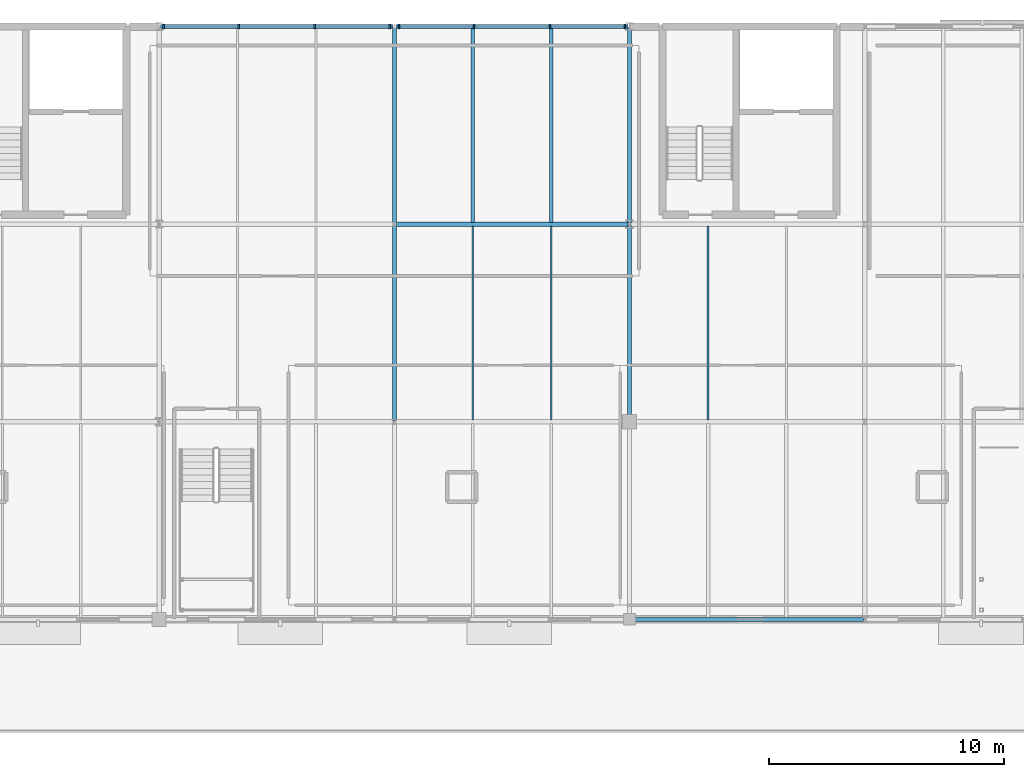
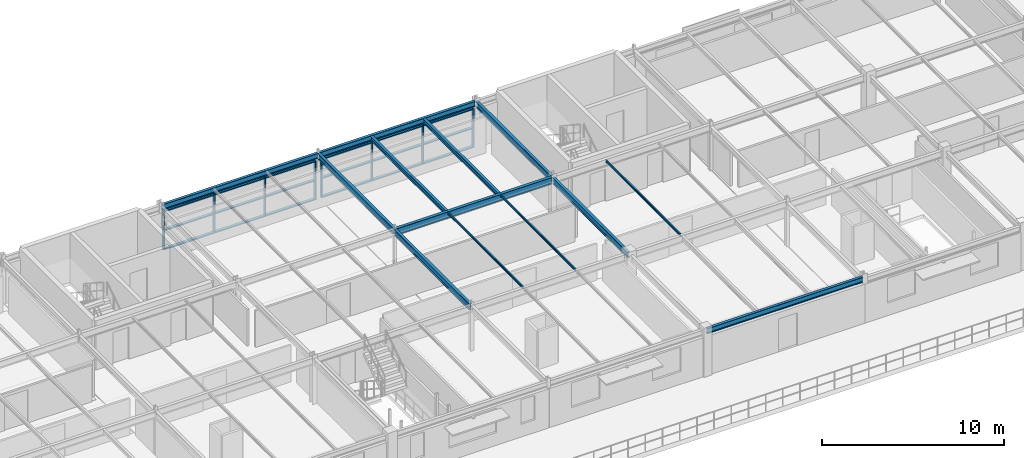
# One storey, part 12 of 23: 26 members, 13 beams, 2 elements without a shape of their own.
"""IFC4 building model written with IfcOpenShell, lengths in metres."""

from ifc_helpers import new_model, si_unit, derived_unit, direction, frame, origin, origin_2d_with_axis, place, context, subcontext, project, spatial, rectangle, i_section, extrude, material, material_profile, profile_set, type_object, element, aggregate, save


model = new_model("IFC4")

# Units and contexts
model_context = context("Model", 3, precision=1e-05, world=origin(), true_north=direction((0.0, 1.0)))
body_context = subcontext(model_context, "Body", "Model", "MODEL_VIEW")
ifc_project = project(units=[si_unit("LENGTHUNIT", "METRE"), si_unit("AREAUNIT", "SQUARE_METRE"), si_unit("VOLUMEUNIT", "CUBIC_METRE"), si_unit("PLANEANGLEUNIT", "RADIAN"), si_unit("MASSUNIT", "GRAM", prefix="KILO"), derived_unit("THERMALTRANSMITTANCEUNIT", [(si_unit("POWERUNIT", "WATT"), 1), (si_unit("LENGTHUNIT", "METRE"), -2), (si_unit("THERMODYNAMICTEMPERATUREUNIT", "KELVIN"), -1)])], contexts=[model_context])

# Site, building, storey
site_placement = place(None, origin())
site = spatial("IfcSite", under=ifc_project, at=site_placement, CompositionType="ELEMENT")
building_placement = place(site_placement, origin())
building = spatial("IfcBuilding", under=site, at=building_placement, Name="Cinnabar Yard Market Hall", CompositionType="ELEMENT")
storey_placement = place(building_placement, frame((0.0, 0.0, 12.0)))
storey = spatial("IfcBuildingStorey", under=building, at=storey_placement, Name="L03", CompositionType="ELEMENT", Elevation=12.0)

# Beams
ifc_material_1 = material(Name="Steel Grade 300 (300 MPa)", Category="steel")
ifc_material_profile_1 = material_profile(ifc_material_1, i_section(OverallWidth=0.18994140625, OverallDepth=0.453857421875, WebThickness=0.008544921875, FlangeThickness=0.0126953125, FilletRadius=0.011474609375, at=origin_2d_with_axis()), Name="460UB67.1")
ifc_profile_set_1 = profile_set([ifc_material_profile_1], Name="Steel Grade 300 (300 MPa)")
beam_type_1 = type_object("IfcBeamType", Name="BM-B05", PredefinedType="BEAM", material=ifc_profile_set_1)
beam_1_placement = place(storey_placement, frame((116.06005859375, 129.60009765625, 2.843017578125), z_axis=(1.0, 0.0, 0.0), x_axis=(0.0, 1.0, 0.0)))
element("IfcBeam", 1, at=beam_1_placement, inside=storey, type_object=beam_type_1, Name="V3 L03 Girder X 01369", PredefinedType="BEAM", context=body_context, shape_type="SweptSolid", body=[
    extrude(i_section(OverallWidth=0.18994140625, OverallDepth=0.453857421875, WebThickness=0.008544921875, FlangeThickness=0.0126953125, FilletRadius=0.011474609375, at=origin_2d_with_axis()), origin(), (0.0, 0.0, 1.0), 9.8798828125),
])
ifc_material_profile_2 = material_profile(ifc_material_1, i_section(OverallWidth=0.177978515625, OverallDepth=0.406494140625, WebThickness=0.0078125, FlangeThickness=0.0126953125, FilletRadius=0.011474609375, at=origin_2d_with_axis()), Name="410UB59.7")
ifc_profile_set_2 = profile_set([ifc_material_profile_2], Name="Steel Grade 300 (300 MPa)")
beam_type_2 = type_object("IfcBeamType", Name="BM-B06", PredefinedType="BEAM", material=ifc_profile_set_2)
for number, where, z_axis, x_axis, name in (
    (2, (116.0, 121.260009765625, 2.86669921875), (0.0, 1.0, 0.0), (-1.0, 0.0, 0.0), "V3 L03 Girder Y 01396"),
    (3, (116.0, 129.659912109375, 2.86669921875), (0.0, 1.0, 0.0), (-1.0, 0.0, 0.0), "V3 L03 Girder Y 01397"),
    (4, (126.0, 121.260009765625, 2.86669921875), (0.0, 1.0, 0.0), (-1.0, 0.0, 0.0), "V3 L03 Girder Y 01399"),
    (5, (126.0, 129.659912109375, 2.86669921875), (0.0, 1.0, 0.0), (-1.0, 0.0, 0.0), "V3 L03 Girder Y 01400"),
):
    element("IfcBeam", number, at=place(storey_placement, frame(where, z_axis=z_axis, x_axis=x_axis)), inside=storey, type_object=beam_type_2, Name=name, PredefinedType="BEAM", context=body_context, shape_type="SweptSolid", body=[
        extrude(i_section(OverallWidth=0.177978515625, OverallDepth=0.406494140625, WebThickness=0.0078125, FlangeThickness=0.0126953125, FilletRadius=0.011474609375, at=origin_2d_with_axis()), origin(), (0.0, 0.0, 1.0), 8.280029296875),
    ])
ifc_material_profile_3 = material_profile(ifc_material_1, i_section(OverallWidth=0.074951171875, OverallDepth=0.14990234375, WebThickness=0.0048828125, FlangeThickness=0.007080078125, FilletRadius=0.008056640625, at=origin_2d_with_axis()), Name="150UB14.0")
ifc_profile_set_3 = profile_set([ifc_material_profile_3], Name="Steel Grade 300 (300 MPa)")
beam_type_3 = type_object("IfcBeamType", Name="BM-J15", PredefinedType="JOIST", material=ifc_profile_set_3)
for number, where, z_axis, x_axis, name in (
    (6, (119.333251953125, 121.27490234375, 2.9951171875), (0.0, 1.0, 0.0), (-1.0, 0.0, 0.0), "V3 L03 Joist 01432"),
    (7, (122.666748046875, 121.27490234375, 2.9951171875), (0.0, 1.0, 0.0), (-1.0, 0.0, 0.0), "V3 L03 Joist 01435"),
):
    element("IfcBeam", number, at=place(storey_placement, frame(where, z_axis=z_axis, x_axis=x_axis)), inside=storey, type_object=beam_type_3, Name=name, PredefinedType="JOIST", context=body_context, shape_type="SweptSolid", body=[
        extrude(i_section(OverallWidth=0.074951171875, OverallDepth=0.14990234375, WebThickness=0.0048828125, FlangeThickness=0.007080078125, FilletRadius=0.008056640625, at=origin_2d_with_axis()), origin(), (0.0, 0.0, 1.0), 8.25),
    ])
ifc_material_profile_4 = material_profile(ifc_material_1, i_section(OverallWidth=0.1650390625, OverallDepth=0.303955078125, WebThickness=0.006103515625, FlangeThickness=0.01025390625, FilletRadius=0.011474609375, at=origin_2d_with_axis()), Name="310UB40.4")
ifc_profile_set_4 = profile_set([ifc_material_profile_4], Name="Steel Grade 300 (300 MPa)")
beam_type_4 = type_object("IfcBeamType", Name="BM-J16", PredefinedType="JOIST", material=ifc_profile_set_4)
for number, where, z_axis, x_axis, name in (
    (8, (119.333251953125, 129.675048828125, 2.91796875), (0.0, 1.0, 0.0), (-1.0, 0.0, 0.0), "V3 L03 Joist 01433"),
    (9, (122.666748046875, 129.675048828125, 2.91796875), (0.0, 1.0, 0.0), (-1.0, 0.0, 0.0), "V3 L03 Joist 01436"),
):
    element("IfcBeam", number, at=place(storey_placement, frame(where, z_axis=z_axis, x_axis=x_axis)), inside=storey, type_object=beam_type_4, Name=name, PredefinedType="JOIST", context=body_context, shape_type="SweptSolid", body=[
        extrude(i_section(OverallWidth=0.1650390625, OverallDepth=0.303955078125, WebThickness=0.006103515625, FlangeThickness=0.01025390625, FilletRadius=0.011474609375, at=origin_2d_with_axis()), origin(), (0.0, 0.0, 1.0), 8.25),
    ])
ifc_material_profile_5 = material_profile(ifc_material_1, i_section(OverallWidth=0.074951171875, OverallDepth=0.155029296875, WebThickness=0.006103515625, FlangeThickness=0.009521484375, FilletRadius=0.008056640625, at=origin_2d_with_axis()), Name="150UB18.0")
ifc_profile_set_5 = profile_set([ifc_material_profile_5], Name="Steel Grade 300 (300 MPa)")
beam_type_5 = type_object("IfcBeamType", Name="BM-J18", PredefinedType="JOIST", material=ifc_profile_set_5)
beam_2_placement = place(storey_placement, frame((129.333251953125, 121.27490234375, 2.992431640625), z_axis=(0.0, 1.0, 0.0), x_axis=(-1.0, 0.0, 0.0)))
element("IfcBeam", 10, at=beam_2_placement, inside=storey, type_object=beam_type_5, Name="V3 L03 Joist 01438", PredefinedType="JOIST", context=body_context, shape_type="SweptSolid", body=[
    extrude(i_section(OverallWidth=0.074951171875, OverallDepth=0.155029296875, WebThickness=0.006103515625, FlangeThickness=0.009521484375, FilletRadius=0.008056640625, at=origin_2d_with_axis()), origin(), (0.0, 0.0, 1.0), 8.25),
])
ifc_material_profile_6 = material_profile(ifc_material_1, i_section(OverallWidth=0.172119140625, OverallDepth=0.358642578125, WebThickness=0.008056640625, FlangeThickness=0.012939453125, FilletRadius=0.011474609375, at=origin_2d_with_axis()), Name="360UB56.7")
ifc_profile_set_6 = profile_set([ifc_material_profile_6], Name="Steel Grade 300 (300 MPa)")
beam_type_6 = type_object("IfcBeamType", Name="BM-SP02E", PredefinedType="SPANDREL", material=ifc_profile_set_6)
for number, where, z_axis, x_axis, name in (
    (11, (106.06005859375, 138.0, 2.890625), (1.0, 0.0, 0.0), (0.0, 1.0, 0.0), "V3 L03 Girder X 01366"),
    (12, (116.06005859375, 138.0, 2.890625), (1.0, 0.0, 0.0), (0.0, 1.0, 0.0), "V3 L03 Girder X 01370"),
    (13, (126.06005859375, 112.800048828125, 2.890625), (1.0, 0.0, 0.0), (0.0, 1.0, 0.0), "V3 L03 Girder X 01371"),
):
    element("IfcBeam", number, at=place(storey_placement, frame(where, z_axis=z_axis, x_axis=x_axis)), inside=storey, type_object=beam_type_6, Name=name, PredefinedType="SPANDREL", context=body_context, shape_type="SweptSolid", body=[
        extrude(i_section(OverallWidth=0.172119140625, OverallDepth=0.358642578125, WebThickness=0.008056640625, FlangeThickness=0.012939453125, FilletRadius=0.011474609375, at=origin_2d_with_axis()), origin(), (0.0, 0.0, 1.0), 9.8798828125),
    ])

# Curtain wall, members
ifc_material_2 = material(Name="Anodised bronze aluminium courtyard facade", Category="aluminium")
curtain_wall_type = type_object("IfcCurtainWallType", Name="CW-CWF097x26", PredefinedType="NOTDEFINED", material=ifc_material_2)
curtain_wall_1_placement = place(storey_placement, origin())
curtain_wall_1 = element("IfcCurtainWall", 14, at=curtain_wall_1_placement, inside=storey, type_object=curtain_wall_type, Name="Wing North Pishtaq Glazing L03 Bay 4", PredefinedType="NOTDEFINED")
ifc_material_3 = material(Name="Anodised bronze aluminium", Category="aluminium")
ifc_material_profile_7 = material_profile(ifc_material_3, rectangle(XDim=0.179931640625, YDim=0.074951171875, at=origin_2d_with_axis()), Name="MUL-CWF")
ifc_profile_set_7 = profile_set([ifc_material_profile_7], Name="Anodised bronze aluminium")
member_type_1 = type_object("IfcMemberType", Name="CWM-CWF", PredefinedType="MULLION", material=ifc_profile_set_7)
member_1_placement = place(storey_placement, frame((115.802490234375, 138.0, 0.0), z_axis=(0.0, 0.0, 1.0), x_axis=(0.0, -1.0, 0.0)))
member_1 = element("IfcMember", 15, at=member_1_placement, type_object=member_type_1, Name="CWF097x26 mullion 1", PredefinedType="MULLION", context=body_context, shape_type="SweptSolid", body=[
    extrude(rectangle(XDim=0.179931640625, YDim=0.074951171875, at=origin_2d_with_axis()), origin(), (0.0, 0.0, 1.0), 2.6201171875),
])
member_2_placement = place(storey_placement, frame((112.61328125, 138.0, 0.0), z_axis=(0.0, 0.0, 1.0), x_axis=(0.0, -1.0, 0.0)))
member_2 = element("IfcMember", 16, at=member_2_placement, type_object=member_type_1, Name="CWF097x26 mullion 2", PredefinedType="MULLION", context=body_context, shape_type="SweptSolid", body=[
    extrude(rectangle(XDim=0.179931640625, YDim=0.074951171875, at=origin_2d_with_axis()), origin(), (0.0, 0.0, 1.0), 2.6201171875),
])
member_3_placement = place(storey_placement, frame((109.38671875, 138.0, 0.0), z_axis=(0.0, 0.0, 1.0), x_axis=(0.0, -1.0, 0.0)))
member_3 = element("IfcMember", 17, at=member_3_placement, type_object=member_type_1, Name="CWF097x26 mullion 3", PredefinedType="MULLION", context=body_context, shape_type="SweptSolid", body=[
    extrude(rectangle(XDim=0.179931640625, YDim=0.074951171875, at=origin_2d_with_axis()), origin(), (0.0, 0.0, 1.0), 2.6201171875),
])
member_4_placement = place(storey_placement, frame((106.197509765625, 138.0, 0.0), z_axis=(0.0, 0.0, 1.0), x_axis=(0.0, -1.0, 0.0)))
member_4 = element("IfcMember", 18, at=member_4_placement, type_object=member_type_1, Name="CWF097x26 mullion 4", PredefinedType="MULLION", context=body_context, shape_type="SweptSolid", body=[
    extrude(rectangle(XDim=0.179931640625, YDim=0.074951171875, at=origin_2d_with_axis()), origin(), (0.0, 0.0, 1.0), 2.6201171875),
])

curtain_wall_2_placement = place(storey_placement, origin())
curtain_wall_2 = element("IfcCurtainWall", 19, at=curtain_wall_2_placement, inside=storey, type_object=curtain_wall_type, Name="Wing North Pishtaq Glazing L03 Bay 5", PredefinedType="NOTDEFINED")
member_5_placement = place(storey_placement, frame((125.802490234375, 138.0, 0.0), z_axis=(0.0, 0.0, 1.0), x_axis=(0.0, -1.0, 0.0)))
member_5 = element("IfcMember", 20, at=member_5_placement, type_object=member_type_1, Name="CWF097x26 mullion 1", PredefinedType="MULLION", context=body_context, shape_type="SweptSolid", body=[
    extrude(rectangle(XDim=0.179931640625, YDim=0.074951171875, at=origin_2d_with_axis()), origin(), (0.0, 0.0, 1.0), 2.6201171875),
])
member_6_placement = place(storey_placement, frame((122.61328125, 138.0, 0.0), z_axis=(0.0, 0.0, 1.0), x_axis=(0.0, -1.0, 0.0)))
member_6 = element("IfcMember", 21, at=member_6_placement, type_object=member_type_1, Name="CWF097x26 mullion 2", PredefinedType="MULLION", context=body_context, shape_type="SweptSolid", body=[
    extrude(rectangle(XDim=0.179931640625, YDim=0.074951171875, at=origin_2d_with_axis()), origin(), (0.0, 0.0, 1.0), 2.6201171875),
])
member_7_placement = place(storey_placement, frame((119.38671875, 138.0, 0.0), z_axis=(0.0, 0.0, 1.0), x_axis=(0.0, -1.0, 0.0)))
member_7 = element("IfcMember", 22, at=member_7_placement, type_object=member_type_1, Name="CWF097x26 mullion 3", PredefinedType="MULLION", context=body_context, shape_type="SweptSolid", body=[
    extrude(rectangle(XDim=0.179931640625, YDim=0.074951171875, at=origin_2d_with_axis()), origin(), (0.0, 0.0, 1.0), 2.6201171875),
])
member_8_placement = place(storey_placement, frame((116.197509765625, 138.0, 0.0), z_axis=(0.0, 0.0, 1.0), x_axis=(0.0, -1.0, 0.0)))
member_8 = element("IfcMember", 23, at=member_8_placement, type_object=member_type_1, Name="CWF097x26 mullion 4", PredefinedType="MULLION", context=body_context, shape_type="SweptSolid", body=[
    extrude(rectangle(XDim=0.179931640625, YDim=0.074951171875, at=origin_2d_with_axis()), origin(), (0.0, 0.0, 1.0), 2.6201171875),
])

# Member
ifc_material_profile_8 = material_profile(ifc_material_3, rectangle(XDim=0.179931640625, YDim=0.074951171875, at=origin_2d_with_axis()), Name="TRN-CWF")
ifc_profile_set_8 = profile_set([ifc_material_profile_8], Name="Anodised bronze aluminium")
member_type_2 = type_object("IfcMemberType", Name="CWT-CWF", PredefinedType="USERDEFINED", material=ifc_profile_set_8)
member_9_placement = place(storey_placement, frame((115.764892578125, 138.0, 0.03759765625), z_axis=(-1.0, 0.0, 0.0), x_axis=(0.0, -1.0, 0.0)))
member_9 = element("IfcMember", 24, at=member_9_placement, type_object=member_type_2, Name="CWF097x26 transom 1.1", ObjectType="TRANSOM", PredefinedType="USERDEFINED", context=body_context, shape_type="SweptSolid", body=[
    extrude(rectangle(XDim=0.179931640625, YDim=0.074951171875, at=origin_2d_with_axis()), origin(), (0.0, 0.0, 1.0), 3.114013671875),
])

member_10_placement = place(storey_placement, frame((115.764892578125, 138.0, 1.31005859375), z_axis=(-1.0, 0.0, 0.0), x_axis=(0.0, -1.0, 0.0)))
member_10 = element("IfcMember", 25, at=member_10_placement, type_object=member_type_2, Name="CWF097x26 transom 1.2", ObjectType="TRANSOM", PredefinedType="USERDEFINED", context=body_context, shape_type="SweptSolid", body=[
    extrude(rectangle(XDim=0.179931640625, YDim=0.074951171875, at=origin_2d_with_axis()), origin(), (0.0, 0.0, 1.0), 3.114013671875),
])

member_11_placement = place(storey_placement, frame((115.764892578125, 138.0, 2.58251953125), z_axis=(-1.0, 0.0, 0.0), x_axis=(0.0, -1.0, 0.0)))
member_11 = element("IfcMember", 26, at=member_11_placement, type_object=member_type_2, Name="CWF097x26 transom 1.3", ObjectType="TRANSOM", PredefinedType="USERDEFINED", context=body_context, shape_type="SweptSolid", body=[
    extrude(rectangle(XDim=0.179931640625, YDim=0.074951171875, at=origin_2d_with_axis()), origin(), (0.0, 0.0, 1.0), 3.114013671875),
])

member_12_placement = place(storey_placement, frame((112.575927734375, 138.0, 0.03759765625), z_axis=(-1.0, 0.0, 0.0), x_axis=(0.0, -1.0, 0.0)))
member_12 = element("IfcMember", 27, at=member_12_placement, type_object=member_type_2, Name="CWF097x26 transom 2.1", ObjectType="TRANSOM", PredefinedType="USERDEFINED", context=body_context, shape_type="SweptSolid", body=[
    extrude(rectangle(XDim=0.179931640625, YDim=0.074951171875, at=origin_2d_with_axis()), origin(), (0.0, 0.0, 1.0), 3.15185546875),
])

member_13_placement = place(storey_placement, frame((112.575927734375, 138.0, 1.31005859375), z_axis=(-1.0, 0.0, 0.0), x_axis=(0.0, -1.0, 0.0)))
member_13 = element("IfcMember", 28, at=member_13_placement, type_object=member_type_2, Name="CWF097x26 transom 2.2", ObjectType="TRANSOM", PredefinedType="USERDEFINED", context=body_context, shape_type="SweptSolid", body=[
    extrude(rectangle(XDim=0.179931640625, YDim=0.074951171875, at=origin_2d_with_axis()), origin(), (0.0, 0.0, 1.0), 3.15185546875),
])

member_14_placement = place(storey_placement, frame((112.575927734375, 138.0, 2.58251953125), z_axis=(-1.0, 0.0, 0.0), x_axis=(0.0, -1.0, 0.0)))
member_14 = element("IfcMember", 29, at=member_14_placement, type_object=member_type_2, Name="CWF097x26 transom 2.3", ObjectType="TRANSOM", PredefinedType="USERDEFINED", context=body_context, shape_type="SweptSolid", body=[
    extrude(rectangle(XDim=0.179931640625, YDim=0.074951171875, at=origin_2d_with_axis()), origin(), (0.0, 0.0, 1.0), 3.15185546875),
])

member_15_placement = place(storey_placement, frame((109.34912109375, 138.0, 0.03759765625), z_axis=(-1.0, 0.0, 0.0), x_axis=(0.0, -1.0, 0.0)))
member_15 = element("IfcMember", 30, at=member_15_placement, type_object=member_type_2, Name="CWF097x26 transom 3.1", ObjectType="TRANSOM", PredefinedType="USERDEFINED", context=body_context, shape_type="SweptSolid", body=[
    extrude(rectangle(XDim=0.179931640625, YDim=0.074951171875, at=origin_2d_with_axis()), origin(), (0.0, 0.0, 1.0), 3.114013671875),
])

member_16_placement = place(storey_placement, frame((109.34912109375, 138.0, 1.31005859375), z_axis=(-1.0, 0.0, 0.0), x_axis=(0.0, -1.0, 0.0)))
member_16 = element("IfcMember", 31, at=member_16_placement, type_object=member_type_2, Name="CWF097x26 transom 3.2", ObjectType="TRANSOM", PredefinedType="USERDEFINED", context=body_context, shape_type="SweptSolid", body=[
    extrude(rectangle(XDim=0.179931640625, YDim=0.074951171875, at=origin_2d_with_axis()), origin(), (0.0, 0.0, 1.0), 3.114013671875),
])

member_17_placement = place(storey_placement, frame((109.34912109375, 138.0, 2.58251953125), z_axis=(-1.0, 0.0, 0.0), x_axis=(0.0, -1.0, 0.0)))
member_17 = element("IfcMember", 32, at=member_17_placement, type_object=member_type_2, Name="CWF097x26 transom 3.3", ObjectType="TRANSOM", PredefinedType="USERDEFINED", context=body_context, shape_type="SweptSolid", body=[
    extrude(rectangle(XDim=0.179931640625, YDim=0.074951171875, at=origin_2d_with_axis()), origin(), (0.0, 0.0, 1.0), 3.114013671875),
])

aggregate(curtain_wall_1, [member_1, member_2, member_3, member_4, member_9, member_10, member_11, member_12, member_13, member_14, member_15, member_16, member_17])

member_18_placement = place(storey_placement, frame((125.764892578125, 138.0, 0.03759765625), z_axis=(-1.0, 0.0, 0.0), x_axis=(0.0, -1.0, 0.0)))
member_18 = element("IfcMember", 33, at=member_18_placement, type_object=member_type_2, Name="CWF097x26 transom 1.1", ObjectType="TRANSOM", PredefinedType="USERDEFINED", context=body_context, shape_type="SweptSolid", body=[
    extrude(rectangle(XDim=0.179931640625, YDim=0.074951171875, at=origin_2d_with_axis()), origin(), (0.0, 0.0, 1.0), 3.114013671875),
])

member_19_placement = place(storey_placement, frame((125.764892578125, 138.0, 1.31005859375), z_axis=(-1.0, 0.0, 0.0), x_axis=(0.0, -1.0, 0.0)))
member_19 = element("IfcMember", 34, at=member_19_placement, type_object=member_type_2, Name="CWF097x26 transom 1.2", ObjectType="TRANSOM", PredefinedType="USERDEFINED", context=body_context, shape_type="SweptSolid", body=[
    extrude(rectangle(XDim=0.179931640625, YDim=0.074951171875, at=origin_2d_with_axis()), origin(), (0.0, 0.0, 1.0), 3.114013671875),
])

member_20_placement = place(storey_placement, frame((125.764892578125, 138.0, 2.58251953125), z_axis=(-1.0, 0.0, 0.0), x_axis=(0.0, -1.0, 0.0)))
member_20 = element("IfcMember", 35, at=member_20_placement, type_object=member_type_2, Name="CWF097x26 transom 1.3", ObjectType="TRANSOM", PredefinedType="USERDEFINED", context=body_context, shape_type="SweptSolid", body=[
    extrude(rectangle(XDim=0.179931640625, YDim=0.074951171875, at=origin_2d_with_axis()), origin(), (0.0, 0.0, 1.0), 3.114013671875),
])

member_21_placement = place(storey_placement, frame((122.575927734375, 138.0, 0.03759765625), z_axis=(-1.0, 0.0, 0.0), x_axis=(0.0, -1.0, 0.0)))
member_21 = element("IfcMember", 36, at=member_21_placement, type_object=member_type_2, Name="CWF097x26 transom 2.1", ObjectType="TRANSOM", PredefinedType="USERDEFINED", context=body_context, shape_type="SweptSolid", body=[
    extrude(rectangle(XDim=0.179931640625, YDim=0.074951171875, at=origin_2d_with_axis()), origin(), (0.0, 0.0, 1.0), 3.15185546875),
])

member_22_placement = place(storey_placement, frame((122.575927734375, 138.0, 1.31005859375), z_axis=(-1.0, 0.0, 0.0), x_axis=(0.0, -1.0, 0.0)))
member_22 = element("IfcMember", 37, at=member_22_placement, type_object=member_type_2, Name="CWF097x26 transom 2.2", ObjectType="TRANSOM", PredefinedType="USERDEFINED", context=body_context, shape_type="SweptSolid", body=[
    extrude(rectangle(XDim=0.179931640625, YDim=0.074951171875, at=origin_2d_with_axis()), origin(), (0.0, 0.0, 1.0), 3.15185546875),
])

member_23_placement = place(storey_placement, frame((122.575927734375, 138.0, 2.58251953125), z_axis=(-1.0, 0.0, 0.0), x_axis=(0.0, -1.0, 0.0)))
member_23 = element("IfcMember", 38, at=member_23_placement, type_object=member_type_2, Name="CWF097x26 transom 2.3", ObjectType="TRANSOM", PredefinedType="USERDEFINED", context=body_context, shape_type="SweptSolid", body=[
    extrude(rectangle(XDim=0.179931640625, YDim=0.074951171875, at=origin_2d_with_axis()), origin(), (0.0, 0.0, 1.0), 3.15185546875),
])

member_24_placement = place(storey_placement, frame((119.34912109375, 138.0, 0.03759765625), z_axis=(-1.0, 0.0, 0.0), x_axis=(0.0, -1.0, 0.0)))
member_24 = element("IfcMember", 39, at=member_24_placement, type_object=member_type_2, Name="CWF097x26 transom 3.1", ObjectType="TRANSOM", PredefinedType="USERDEFINED", context=body_context, shape_type="SweptSolid", body=[
    extrude(rectangle(XDim=0.179931640625, YDim=0.074951171875, at=origin_2d_with_axis()), origin(), (0.0, 0.0, 1.0), 3.114013671875),
])

member_25_placement = place(storey_placement, frame((119.34912109375, 138.0, 1.31005859375), z_axis=(-1.0, 0.0, 0.0), x_axis=(0.0, -1.0, 0.0)))
member_25 = element("IfcMember", 40, at=member_25_placement, type_object=member_type_2, Name="CWF097x26 transom 3.2", ObjectType="TRANSOM", PredefinedType="USERDEFINED", context=body_context, shape_type="SweptSolid", body=[
    extrude(rectangle(XDim=0.179931640625, YDim=0.074951171875, at=origin_2d_with_axis()), origin(), (0.0, 0.0, 1.0), 3.114013671875),
])

member_26_placement = place(storey_placement, frame((119.34912109375, 138.0, 2.58251953125), z_axis=(-1.0, 0.0, 0.0), x_axis=(0.0, -1.0, 0.0)))
member_26 = element("IfcMember", 41, at=member_26_placement, type_object=member_type_2, Name="CWF097x26 transom 3.3", ObjectType="TRANSOM", PredefinedType="USERDEFINED", context=body_context, shape_type="SweptSolid", body=[
    extrude(rectangle(XDim=0.179931640625, YDim=0.074951171875, at=origin_2d_with_axis()), origin(), (0.0, 0.0, 1.0), 3.114013671875),
])

aggregate(curtain_wall_2, [member_5, member_6, member_7, member_8, member_18, member_19, member_20, member_21, member_22, member_23, member_24, member_25, member_26])

save(model, "model.ifc")
